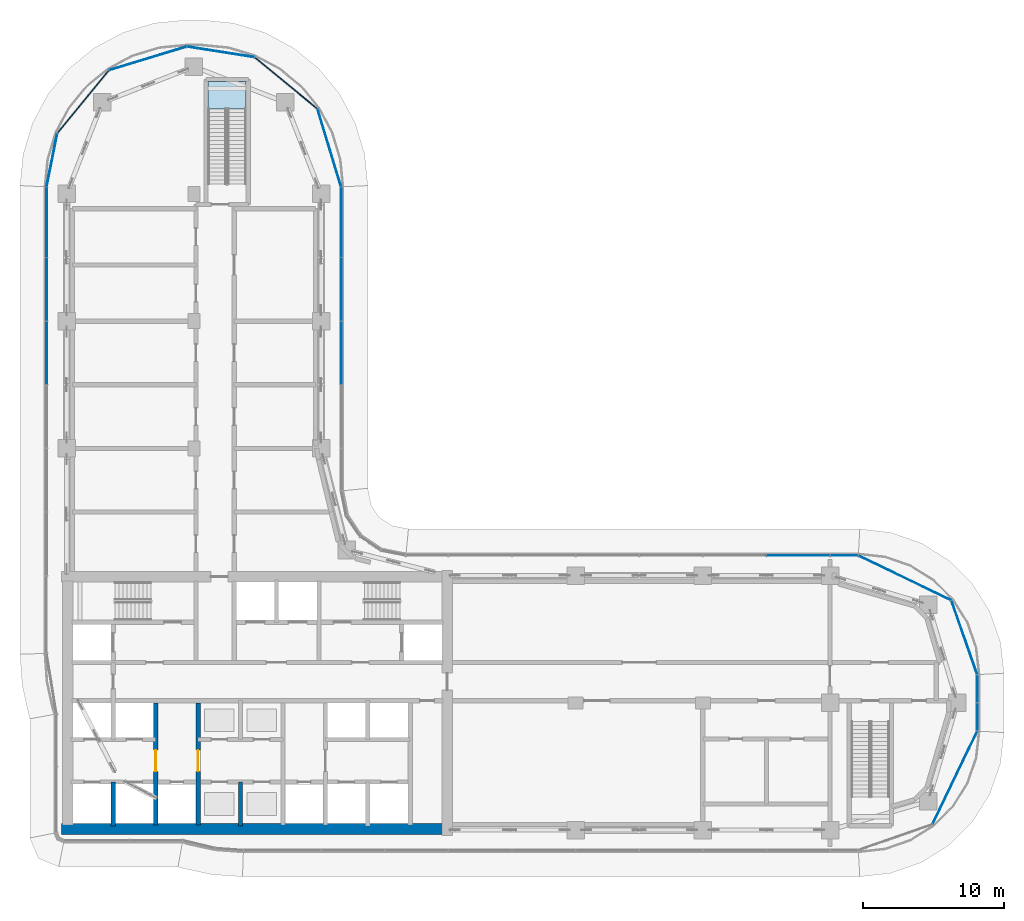
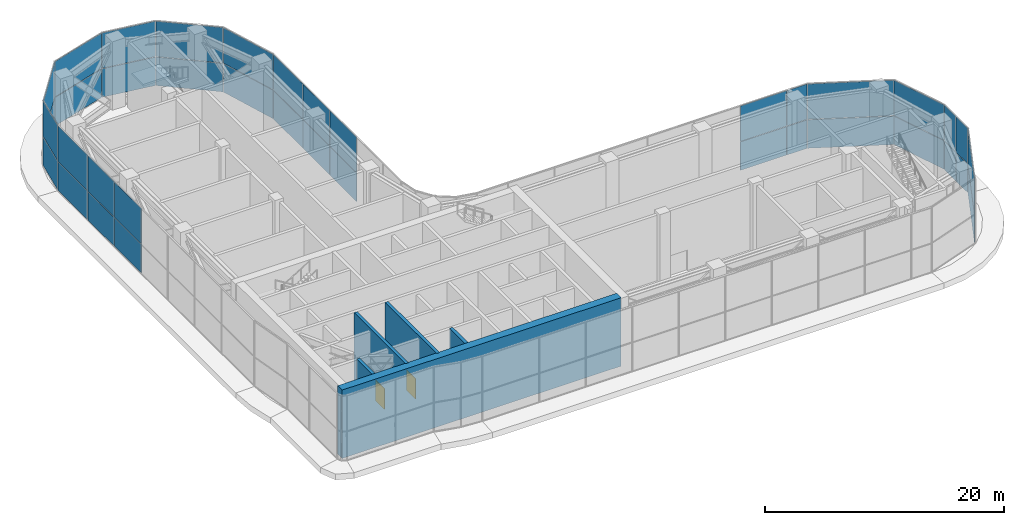
# One storey, part 15 of 35: 38 plates, 5 walls, 2 doors, 1 slab, 2 openings, 8 elements without a shape of their own.
"""IFC4 building model written with IfcOpenShell, lengths in metres."""

from ifc_helpers import new_model, si_unit, direction, frame, frame_2d, origin, origin_2d, place, context, subcontext, project, spatial, polyline, rectangle, outline, extrude, material, layer, layer_set, type_object, element, fill, aggregate, save


model = new_model("IFC4")

# Units and contexts
model_context = context("Model", 3, precision=1e-05, world=origin(), true_north=direction((0.0, 1.0)))
body_context = subcontext(model_context, "Body", "Model", "MODEL_VIEW")
ifc_project = project(units=[si_unit("LENGTHUNIT", "METRE"), si_unit("AREAUNIT", "SQUARE_METRE"), si_unit("VOLUMEUNIT", "CUBIC_METRE"), si_unit("PLANEANGLEUNIT", "RADIAN"), si_unit("MASSUNIT", "GRAM", prefix="KILO")], contexts=[model_context])

# Site, building, storey
site_placement = place(None, origin())
site = spatial("IfcSite", under=ifc_project, at=site_placement, CompositionType="ELEMENT")
building_placement = place(site_placement, origin())
building = spatial("IfcBuilding", under=site, at=building_placement, Name="Ogive Portal Towers", CompositionType="ELEMENT")
storey_placement = place(building_placement, frame((0.0, 0.0, 135.199951171875)))
storey = spatial("IfcBuildingStorey", under=building, at=storey_placement, Name="L33", CompositionType="ELEMENT", Elevation=135.199951171875)

# Curtain wall, plates
ifc_material_1 = material(Name="Glass, clear low-iron insulated glazing", Category="glass")
curtain_wall_type = type_object("IfcCurtainWallType", Name="CW OBSERVATION WALL", PredefinedType="NOTDEFINED", material=ifc_material_1)
curtain_wall_1_placement = place(storey_placement, origin())
curtain_wall_1 = element("IfcCurtainWall", 1, at=curtain_wall_1_placement, inside=storey, type_object=curtain_wall_type, Name="A:L33:f09:cw0", PredefinedType="NOTDEFINED")
ifc_material_2 = material(Name="Aluminium composite spandrel panel, insulated", Category="aluminium")
ifc_layer_1 = layer(ifc_material_2, 0.06005859375)
ifc_layer_set_1 = layer_set([ifc_layer_1], Name="CW PANEL SPANDREL 60")
plate_type = type_object("IfcPlateType", Name="CW PANEL SPANDREL 60", PredefinedType="CURTAIN_PANEL", material=ifc_layer_set_1)
plate_1_placement = place(storey_placement, frame((95.919921875, 29.509033203125, 0.06005859375), z_axis=(0.0, 0.0, 1.0), x_axis=(0.0, 1.0, 0.0)))
plate_1 = element("IfcPlate", 2, at=plate_1_placement, type_object=plate_type, Name="spandrel panel", PredefinedType="CURTAIN_PANEL", context=body_context, shape_type="SweptSolid", body=[
    extrude(rectangle(XDim=1.921630859375, YDim=0.06005859375, at=origin_2d()), origin(), (0.0, 0.0, 1.0), 2.909912109375),
])
plate_2_placement = place(storey_placement, frame((95.919921875, 29.509033203125, 3.02978515625), z_axis=(0.0, 0.0, 1.0), x_axis=(0.0, 1.0, 0.0)))
plate_2 = element("IfcPlate", 3, at=plate_2_placement, type_object=plate_type, Name="spandrel panel", PredefinedType="CURTAIN_PANEL", context=body_context, shape_type="SweptSolid", body=[
    extrude(rectangle(XDim=1.921630859375, YDim=0.06005859375, at=origin_2d()), origin(), (0.0, 0.0, 1.0), 3.610107421875),
])
plate_3_placement = place(storey_placement, frame((95.919921875, 31.4931640625, 0.06005859375), z_axis=(0.0, 0.0, 1.0), x_axis=(0.0, 1.0, 0.0)))
plate_3 = element("IfcPlate", 4, at=plate_3_placement, type_object=plate_type, Name="spandrel panel", PredefinedType="CURTAIN_PANEL", context=body_context, shape_type="SweptSolid", body=[
    extrude(rectangle(XDim=1.926513671875, YDim=0.06005859375, at=origin_2d()), origin(), (0.0, 0.0, 1.0), 2.909912109375),
])
plate_4_placement = place(storey_placement, frame((95.919921875, 31.4931640625, 3.02978515625), z_axis=(0.0, 0.0, 1.0), x_axis=(0.0, 1.0, 0.0)))
plate_4 = element("IfcPlate", 5, at=plate_4_placement, type_object=plate_type, Name="spandrel panel", PredefinedType="CURTAIN_PANEL", context=body_context, shape_type="SweptSolid", body=[
    extrude(rectangle(XDim=1.926513671875, YDim=0.06005859375, at=origin_2d()), origin(), (0.0, 0.0, 1.0), 3.610107421875),
])
aggregate(curtain_wall_1, [plate_1, plate_2, plate_3, plate_4])

curtain_wall_2_placement = place(storey_placement, origin())
curtain_wall_2 = element("IfcCurtainWall", 6, at=curtain_wall_2_placement, inside=storey, type_object=curtain_wall_type, Name="A:L33:f12:cw0", PredefinedType="NOTDEFINED")
plate_5_placement = place(storey_placement, frame((86.490966796875, 40.919921875, 0.06005859375), z_axis=(0.0, 0.0, 1.0), x_axis=(-1.0, 0.0, 0.0)))
plate_5 = element("IfcPlate", 7, at=plate_5_placement, type_object=plate_type, Name="spandrel panel", PredefinedType="CURTAIN_PANEL", context=body_context, shape_type="SweptSolid", body=[
    extrude(rectangle(XDim=1.921630859375, YDim=0.06005859375, at=origin_2d()), origin(), (0.0, 0.0, 1.0), 2.909912109375),
])
plate_6_placement = place(storey_placement, frame((86.490966796875, 40.919921875, 3.02978515625), z_axis=(0.0, 0.0, 1.0), x_axis=(-1.0, 0.0, 0.0)))
plate_6 = element("IfcPlate", 8, at=plate_6_placement, type_object=plate_type, Name="spandrel panel", PredefinedType="CURTAIN_PANEL", context=body_context, shape_type="SweptSolid", body=[
    extrude(rectangle(XDim=1.921630859375, YDim=0.06005859375, at=origin_2d()), origin(), (0.0, 0.0, 1.0), 3.610107421875),
])
plate_7_placement = place(storey_placement, frame((83.25, 40.919921875, 0.06005859375), z_axis=(0.0, 0.0, 1.0), x_axis=(-1.0, 0.0, 0.0)))
plate_7 = element("IfcPlate", 9, at=plate_7_placement, type_object=plate_type, Name="spandrel panel", PredefinedType="CURTAIN_PANEL", context=body_context, shape_type="SweptSolid", body=[
    extrude(rectangle(XDim=4.43994140625, YDim=0.06005859375, at=origin_2d()), origin(), (0.0, 0.0, 1.0), 2.909912109375),
])
plate_8_placement = place(storey_placement, frame((83.25, 40.919921875, 3.02978515625), z_axis=(0.0, 0.0, 1.0), x_axis=(-1.0, 0.0, 0.0)))
plate_8 = element("IfcPlate", 10, at=plate_8_placement, type_object=plate_type, Name="spandrel panel", PredefinedType="CURTAIN_PANEL", context=body_context, shape_type="SweptSolid", body=[
    extrude(rectangle(XDim=4.43994140625, YDim=0.06005859375, at=origin_2d()), origin(), (0.0, 0.0, 1.0), 3.610107421875),
])
aggregate(curtain_wall_2, [plate_5, plate_6, plate_7, plate_8])

curtain_wall_3_placement = place(storey_placement, origin())
curtain_wall_3 = element("IfcCurtainWall", 11, at=curtain_wall_3_placement, inside=storey, type_object=curtain_wall_type, Name="A:L33:f17:cw0", PredefinedType="NOTDEFINED")
plate_9_placement = place(storey_placement, frame((50.919921875, 55.25, 0.06005859375), z_axis=(0.0, 0.0, 1.0), x_axis=(0.0, 1.0, 0.0)))
plate_9 = element("IfcPlate", 12, at=plate_9_placement, type_object=plate_type, Name="spandrel panel", PredefinedType="CURTAIN_PANEL", context=body_context, shape_type="SweptSolid", body=[
    extrude(rectangle(XDim=4.43994140625, YDim=0.06005859375, at=origin_2d()), origin(), (0.0, 0.0, 1.0), 2.909912109375),
])
plate_10_placement = place(storey_placement, frame((50.919921875, 55.25, 3.02978515625), z_axis=(0.0, 0.0, 1.0), x_axis=(0.0, 1.0, 0.0)))
plate_10 = element("IfcPlate", 13, at=plate_10_placement, type_object=plate_type, Name="spandrel panel", PredefinedType="CURTAIN_PANEL", context=body_context, shape_type="SweptSolid", body=[
    extrude(rectangle(XDim=4.43994140625, YDim=0.06005859375, at=origin_2d()), origin(), (0.0, 0.0, 1.0), 3.610107421875),
])
plate_11_placement = place(storey_placement, frame((50.919921875, 59.75, 0.06005859375), z_axis=(0.0, 0.0, 1.0), x_axis=(0.0, 1.0, 0.0)))
plate_11 = element("IfcPlate", 14, at=plate_11_placement, type_object=plate_type, Name="spandrel panel", PredefinedType="CURTAIN_PANEL", context=body_context, shape_type="SweptSolid", body=[
    extrude(rectangle(XDim=4.43994140625, YDim=0.06005859375, at=origin_2d()), origin(), (0.0, 0.0, 1.0), 2.909912109375),
])
plate_12_placement = place(storey_placement, frame((50.919921875, 59.75, 3.02978515625), z_axis=(0.0, 0.0, 1.0), x_axis=(0.0, 1.0, 0.0)))
plate_12 = element("IfcPlate", 15, at=plate_12_placement, type_object=plate_type, Name="spandrel panel", PredefinedType="CURTAIN_PANEL", context=body_context, shape_type="SweptSolid", body=[
    extrude(rectangle(XDim=4.43994140625, YDim=0.06005859375, at=origin_2d()), origin(), (0.0, 0.0, 1.0), 3.610107421875),
])
plate_13_placement = place(storey_placement, frame((50.919921875, 64.494140625, 0.06005859375), z_axis=(0.0, 0.0, 1.0), x_axis=(0.0, 1.0, 0.0)))
plate_13 = element("IfcPlate", 16, at=plate_13_placement, type_object=plate_type, Name="spandrel panel", PredefinedType="CURTAIN_PANEL", context=body_context, shape_type="SweptSolid", body=[
    extrude(rectangle(XDim=4.92822265625, YDim=0.06005859375, at=origin_2d()), origin(), (0.0, 0.0, 1.0), 2.909912109375),
])
plate_14_placement = place(storey_placement, frame((50.919921875, 64.494140625, 3.02978515625), z_axis=(0.0, 0.0, 1.0), x_axis=(0.0, 1.0, 0.0)))
plate_14 = element("IfcPlate", 17, at=plate_14_placement, type_object=plate_type, Name="spandrel panel", PredefinedType="CURTAIN_PANEL", context=body_context, shape_type="SweptSolid", body=[
    extrude(rectangle(XDim=4.92822265625, YDim=0.06005859375, at=origin_2d()), origin(), (0.0, 0.0, 1.0), 3.610107421875),
])
aggregate(curtain_wall_3, [plate_9, plate_10, plate_11, plate_12, plate_13, plate_14])

curtain_wall_4_placement = place(storey_placement, origin())
curtain_wall_4 = element("IfcCurtainWall", 18, at=curtain_wall_4_placement, inside=storey, type_object=curtain_wall_type, Name="A:L33:f24:cw0", PredefinedType="NOTDEFINED")
plate_15_placement = place(storey_placement, frame((30.080078125, 64.49609375, 0.06005859375), z_axis=(0.0, 0.0, 1.0), x_axis=(0.0, -1.0, 0.0)))
plate_15 = element("IfcPlate", 19, at=plate_15_placement, type_object=plate_type, Name="spandrel panel", PredefinedType="CURTAIN_PANEL", context=body_context, shape_type="SweptSolid", body=[
    extrude(rectangle(XDim=4.93212890625, YDim=0.06005859375, at=origin_2d()), origin(), (0.0, 0.0, 1.0), 2.909912109375),
])
plate_16_placement = place(storey_placement, frame((30.080078125, 64.49609375, 3.02978515625), z_axis=(0.0, 0.0, 1.0), x_axis=(0.0, -1.0, 0.0)))
plate_16 = element("IfcPlate", 20, at=plate_16_placement, type_object=plate_type, Name="spandrel panel", PredefinedType="CURTAIN_PANEL", context=body_context, shape_type="SweptSolid", body=[
    extrude(rectangle(XDim=4.93212890625, YDim=0.06005859375, at=origin_2d()), origin(), (0.0, 0.0, 1.0), 3.610107421875),
])
plate_17_placement = place(storey_placement, frame((30.080078125, 59.75, 0.06005859375), z_axis=(0.0, 0.0, 1.0), x_axis=(0.0, -1.0, 0.0)))
plate_17 = element("IfcPlate", 21, at=plate_17_placement, type_object=plate_type, Name="spandrel panel", PredefinedType="CURTAIN_PANEL", context=body_context, shape_type="SweptSolid", body=[
    extrude(rectangle(XDim=4.43994140625, YDim=0.06005859375, at=origin_2d()), origin(), (0.0, 0.0, 1.0), 2.909912109375),
])
plate_18_placement = place(storey_placement, frame((30.080078125, 59.75, 3.02978515625), z_axis=(0.0, 0.0, 1.0), x_axis=(0.0, -1.0, 0.0)))
plate_18 = element("IfcPlate", 22, at=plate_18_placement, type_object=plate_type, Name="spandrel panel", PredefinedType="CURTAIN_PANEL", context=body_context, shape_type="SweptSolid", body=[
    extrude(rectangle(XDim=4.43994140625, YDim=0.06005859375, at=origin_2d()), origin(), (0.0, 0.0, 1.0), 3.610107421875),
])
plate_19_placement = place(storey_placement, frame((30.080078125, 55.25, 0.06005859375), z_axis=(0.0, 0.0, 1.0), x_axis=(0.0, -1.0, 0.0)))
plate_19 = element("IfcPlate", 23, at=plate_19_placement, type_object=plate_type, Name="spandrel panel", PredefinedType="CURTAIN_PANEL", context=body_context, shape_type="SweptSolid", body=[
    extrude(rectangle(XDim=4.43994140625, YDim=0.06005859375, at=origin_2d()), origin(), (0.0, 0.0, 1.0), 2.909912109375),
])
plate_20_placement = place(storey_placement, frame((30.080078125, 55.25, 3.02978515625), z_axis=(0.0, 0.0, 1.0), x_axis=(0.0, -1.0, 0.0)))
plate_20 = element("IfcPlate", 24, at=plate_20_placement, type_object=plate_type, Name="spandrel panel", PredefinedType="CURTAIN_PANEL", context=body_context, shape_type="SweptSolid", body=[
    extrude(rectangle(XDim=4.43994140625, YDim=0.06005859375, at=origin_2d()), origin(), (0.0, 0.0, 1.0), 3.610107421875),
])
aggregate(curtain_wall_4, [plate_15, plate_16, plate_17, plate_18, plate_19, plate_20])

curtain_wall_5_placement = place(storey_placement, origin())
curtain_wall_5 = element("IfcCurtainWall", 25, at=curtain_wall_5_placement, inside=storey, type_object=curtain_wall_type, Name="A:L33:f07:cwa", PredefinedType="NOTDEFINED")
plate_21_placement = place(storey_placement, frame((94.3310546875, 25.21875, 0.06005859375), z_axis=(0.0, 0.0, 1.0), x_axis=(0.433883739113, 0.900968867905, 0.0)))
plate_21 = element("IfcPlate", 26, at=plate_21_placement, type_object=plate_type, Name="spandrel panel", PredefinedType="CURTAIN_PANEL", context=body_context, shape_type="SweptSolid", body=[
    extrude(rectangle(XDim=7.2646484375, YDim=0.06005859375, at=origin_2d()), origin(), (0.0, 0.0, 1.0), 2.909912109375),
])
plate_22_placement = place(storey_placement, frame((94.3310546875, 25.21875, 3.02978515625), z_axis=(0.0, 0.0, 1.0), x_axis=(0.433883739113, 0.900968867905, 0.0)))
plate_22 = element("IfcPlate", 27, at=plate_22_placement, type_object=plate_type, Name="spandrel panel", PredefinedType="CURTAIN_PANEL", context=body_context, shape_type="SweptSolid", body=[
    extrude(rectangle(XDim=7.2646484375, YDim=0.06005859375, at=origin_2d()), origin(), (0.0, 0.0, 1.0), 3.610107421875),
])
aggregate(curtain_wall_5, [plate_21, plate_22])

curtain_wall_6_placement = place(storey_placement, origin())
curtain_wall_6 = element("IfcCurtainWall", 28, at=curtain_wall_6_placement, inside=storey, type_object=curtain_wall_type, Name="A:L33:f10:cwa", PredefinedType="NOTDEFINED")
plate_23_placement = place(storey_placement, frame((95.00048828125, 35.1142578125, 0.06005859375), z_axis=(0.0, 0.0, 1.0), x_axis=(-0.33027906196, 0.943883330307, 0.0)))
plate_23 = element("IfcPlate", 29, at=plate_23_placement, type_object=plate_type, Name="spandrel panel", PredefinedType="CURTAIN_PANEL", context=body_context, shape_type="SweptSolid", body=[
    extrude(rectangle(XDim=5.508056640625, YDim=0.06005859375, at=origin_2d()), origin(), (0.0, 0.0, 1.0), 2.909912109375),
])
plate_24_placement = place(storey_placement, frame((95.00048828125, 35.1142578125, 3.02978515625), z_axis=(0.0, 0.0, 1.0), x_axis=(-0.33027906196, 0.943883330307, 0.0)))
plate_24 = element("IfcPlate", 30, at=plate_24_placement, type_object=plate_type, Name="spandrel panel", PredefinedType="CURTAIN_PANEL", context=body_context, shape_type="SweptSolid", body=[
    extrude(rectangle(XDim=5.508056640625, YDim=0.06005859375, at=origin_2d()), origin(), (0.0, 0.0, 1.0), 3.610107421875),
])
plate_25_placement = place(storey_placement, frame((90.78125, 39.3310546875, 0.06005859375), z_axis=(0.0, 0.0, 1.0), x_axis=(-0.900968867905, 0.433883739113, 0.0)))
plate_25 = element("IfcPlate", 31, at=plate_25_placement, type_object=plate_type, Name="spandrel panel", PredefinedType="CURTAIN_PANEL", context=body_context, shape_type="SweptSolid", body=[
    extrude(rectangle(XDim=7.2646484375, YDim=0.06005859375, at=origin_2d()), origin(), (0.0, 0.0, 1.0), 2.909912109375),
])
plate_26_placement = place(storey_placement, frame((90.78125, 39.3310546875, 3.02978515625), z_axis=(0.0, 0.0, 1.0), x_axis=(-0.900968867905, 0.433883739113, 0.0)))
plate_26 = element("IfcPlate", 32, at=plate_26_placement, type_object=plate_type, Name="spandrel panel", PredefinedType="CURTAIN_PANEL", context=body_context, shape_type="SweptSolid", body=[
    extrude(rectangle(XDim=7.2646484375, YDim=0.06005859375, at=origin_2d()), origin(), (0.0, 0.0, 1.0), 3.610107421875),
])
aggregate(curtain_wall_6, [plate_23, plate_24, plate_25, plate_26])

curtain_wall_7_placement = place(storey_placement, origin())
curtain_wall_7 = element("IfcCurtainWall", 33, at=curtain_wall_7_placement, inside=storey, type_object=curtain_wall_type, Name="A:L33:f18:cwa", PredefinedType="NOTDEFINED")
plate_27_placement = place(storey_placement, frame((50.08251953125, 69.748779296875, 0.06005859375), z_axis=(0.0, 0.0, 1.0), x_axis=(-0.290284677254, 0.956940335732, 0.0)))
plate_27 = element("IfcPlate", 34, at=plate_27_placement, type_object=plate_type, Name="spandrel panel", PredefinedType="CURTAIN_PANEL", context=body_context, shape_type="SweptSolid", body=[
    extrude(rectangle(XDim=5.70947265625, YDim=0.06005859375, at=origin_2d()), origin(), (0.0, 0.0, 1.0), 2.909912109375),
])
plate_28_placement = place(storey_placement, frame((50.08251953125, 69.748779296875, 3.02978515625), z_axis=(0.0, 0.0, 1.0), x_axis=(-0.290284677254, 0.956940335732, 0.0)))
plate_28 = element("IfcPlate", 35, at=plate_28_placement, type_object=plate_type, Name="spandrel panel", PredefinedType="CURTAIN_PANEL", context=body_context, shape_type="SweptSolid", body=[
    extrude(rectangle(XDim=5.70947265625, YDim=0.06005859375, at=origin_2d()), origin(), (0.0, 0.0, 1.0), 3.610107421875),
])
plate_29_placement = place(storey_placement, frame((47.01904296875, 74.336181640625, 0.06005859375), z_axis=(0.0, 0.0, 1.0), x_axis=(-0.773010453363, 0.634393284164, 0.0)))
plate_29 = element("IfcPlate", 36, at=plate_29_placement, type_object=plate_type, Name="spandrel panel", PredefinedType="CURTAIN_PANEL", context=body_context, shape_type="SweptSolid", body=[
    extrude(rectangle(XDim=5.69970703125, YDim=0.06005859375, at=origin_2d()), origin(), (0.0, 0.0, 1.0), 2.909912109375),
])
plate_30_placement = place(storey_placement, frame((47.01904296875, 74.336181640625, 3.02978515625), z_axis=(0.0, 0.0, 1.0), x_axis=(-0.773010453363, 0.634393284164, 0.0)))
plate_30 = element("IfcPlate", 37, at=plate_30_placement, type_object=plate_type, Name="spandrel panel", PredefinedType="CURTAIN_PANEL", context=body_context, shape_type="SweptSolid", body=[
    extrude(rectangle(XDim=5.69970703125, YDim=0.06005859375, at=origin_2d()), origin(), (0.0, 0.0, 1.0), 3.610107421875),
])
plate_31_placement = place(storey_placement, frame((42.399169921875, 76.54052734375, 0.06005859375), z_axis=(0.0, 0.0, 1.0), x_axis=(-0.987792174992, 0.155777466355, 0.0)))
plate_31 = element("IfcPlate", 38, at=plate_31_placement, type_object=plate_type, Name="spandrel panel", PredefinedType="CURTAIN_PANEL", context=body_context, shape_type="SweptSolid", body=[
    extrude(rectangle(XDim=4.786376953125, YDim=0.06005859375, at=origin_2d()), origin(), (0.0, 0.0, 1.0), 2.909912109375),
])
plate_32_placement = place(storey_placement, frame((42.399169921875, 76.54052734375, 3.02978515625), z_axis=(0.0, 0.0, 1.0), x_axis=(-0.987792174992, 0.155777466355, 0.0)))
plate_32 = element("IfcPlate", 39, at=plate_32_placement, type_object=plate_type, Name="spandrel panel", PredefinedType="CURTAIN_PANEL", context=body_context, shape_type="SweptSolid", body=[
    extrude(rectangle(XDim=4.786376953125, YDim=0.06005859375, at=origin_2d()), origin(), (0.0, 0.0, 1.0), 3.610107421875),
])
plate_33_placement = place(storey_placement, frame((37.248291015625, 76.08154296875, 0.06005859375), z_axis=(0.0, 0.0, 1.0), x_axis=(-0.956940335732, -0.290284677254, 0.0)))
plate_33 = element("IfcPlate", 40, at=plate_33_placement, type_object=plate_type, Name="spandrel panel", PredefinedType="CURTAIN_PANEL", context=body_context, shape_type="SweptSolid", body=[
    extrude(rectangle(XDim=5.703125, YDim=0.06005859375, at=origin_2d()), origin(), (0.0, 0.0, 1.0), 2.909912109375),
])
plate_34_placement = place(storey_placement, frame((37.248291015625, 76.08154296875, 3.02978515625), z_axis=(0.0, 0.0, 1.0), x_axis=(-0.956940335732, -0.290284677254, 0.0)))
plate_34 = element("IfcPlate", 41, at=plate_34_placement, type_object=plate_type, Name="spandrel panel", PredefinedType="CURTAIN_PANEL", context=body_context, shape_type="SweptSolid", body=[
    extrude(rectangle(XDim=5.703125, YDim=0.06005859375, at=origin_2d()), origin(), (0.0, 0.0, 1.0), 3.610107421875),
])
plate_35_placement = place(storey_placement, frame((32.663330078125, 73.018310546875, 0.06005859375), z_axis=(0.0, 0.0, 1.0), x_axis=(-0.634393284164, -0.773010453363, 0.0)))
plate_35 = element("IfcPlate", 42, at=plate_35_placement, type_object=plate_type, Name="spandrel panel", PredefinedType="CURTAIN_PANEL", context=body_context, shape_type="SweptSolid", body=[
    extrude(rectangle(XDim=5.701416015625, YDim=0.06005859375, at=origin_2d()), origin(), (0.0, 0.0, 1.0), 2.909912109375),
])
plate_36_placement = place(storey_placement, frame((32.663330078125, 73.018310546875, 3.02978515625), z_axis=(0.0, 0.0, 1.0), x_axis=(-0.634393284164, -0.773010453363, 0.0)))
plate_36 = element("IfcPlate", 43, at=plate_36_placement, type_object=plate_type, Name="spandrel panel", PredefinedType="CURTAIN_PANEL", context=body_context, shape_type="SweptSolid", body=[
    extrude(rectangle(XDim=5.701416015625, YDim=0.06005859375, at=origin_2d()), origin(), (0.0, 0.0, 1.0), 3.610107421875),
])
plate_37_placement = place(storey_placement, frame((30.457763671875, 68.891845703125, 0.06005859375), z_axis=(0.0, 0.0, 1.0), x_axis=(-0.195090322016, -0.980785280403, 0.0)))
plate_37 = element("IfcPlate", 44, at=plate_37_placement, type_object=plate_type, Name="spandrel panel", PredefinedType="CURTAIN_PANEL", context=body_context, shape_type="SweptSolid", body=[
    extrude(rectangle(XDim=3.81396484375, YDim=0.06005859375, at=origin_2d()), origin(), (0.0, 0.0, 1.0), 2.909912109375),
])
plate_38_placement = place(storey_placement, frame((30.457763671875, 68.891845703125, 3.02978515625), z_axis=(0.0, 0.0, 1.0), x_axis=(-0.195090322016, -0.980785280403, 0.0)))
plate_38 = element("IfcPlate", 45, at=plate_38_placement, type_object=plate_type, Name="spandrel panel", PredefinedType="CURTAIN_PANEL", context=body_context, shape_type="SweptSolid", body=[
    extrude(rectangle(XDim=3.81396484375, YDim=0.06005859375, at=origin_2d()), origin(), (0.0, 0.0, 1.0), 3.610107421875),
])
aggregate(curtain_wall_7, [plate_27, plate_28, plate_29, plate_30, plate_31, plate_32, plate_33, plate_34, plate_35, plate_36, plate_37, plate_38])

# Stair, slab
ifc_material_3 = material(Name="Concrete C40/50", Category="concrete")
stair_type = type_object("IfcStairType", Name="INT-STAIR", PredefinedType="HALF_TURN_STAIR", material=ifc_material_3)
stair_placement = place(storey_placement, origin())
stair = element("IfcStair", 46, at=stair_placement, inside=storey, type_object=stair_type, Name="L33 Exit Stair ST-A3", PredefinedType="HALF_TURN_STAIR")
ifc_layer_2 = layer(ifc_material_3, 0.199951171875)
ifc_layer_set_2 = layer_set([ifc_layer_2], Name="INT-LANDING")
slab_type = type_object("IfcSlabType", Name="INT-LANDING", PredefinedType="LANDING", material=ifc_layer_set_2)
slab_placement = place(storey_placement, frame((0.0, 0.0, 3.300048828125)))
slab = element("IfcSlab", 47, at=slab_placement, type_object=slab_type, Name="ST-A3 landing 1", PredefinedType="LANDING", context=body_context, shape_type="SweptSolid", body=[
    extrude(outline(polyline([(44.199951171875, 72.52001953125), (44.199951171875, 74.449951171875), (41.5, 74.449951171875), (41.5, 72.52001953125), (44.199951171875, 72.52001953125)])), origin(), (0.0, 0.0, 1.0), 0.199951171875),
])
aggregate(stair, [slab])

# Wall, opening, door
ifc_material_4 = material(Name="Concrete C60/75", Category="concrete")
ifc_layer_3 = layer(ifc_material_4, 0.300048828125)
ifc_layer_set_3 = layer_set([ifc_layer_3], Name="CORE WALL 300 C60")
wall_type_1 = type_object("IfcWallType", Name="CORE WALL 300 C60", PredefinedType="SHEAR", material=ifc_layer_set_3)
wall_1_placement = place(storey_placement, frame((37.800048828125, 21.875, 0.0), z_axis=(0.0, 0.0, 1.0), x_axis=(0.0, 1.0, 0.0)))
wall_1 = element("IfcWall", 48, at=wall_1_placement, inside=storey, type_object=wall_type_1, Name="Core wall X1 L33", PredefinedType="SHEAR", context=body_context, shape_type="SweptSolid", body=[
    extrude(rectangle(XDim=8.625, YDim=0.300048828125, at=frame_2d((4.3125, 0.0))), origin(), (0.0, 0.0, 1.0), 7.0),
])
opening_1_placement = place(wall_1_placement, frame((3.77490234375, 0.0, 0.0)))
opening_1 = element("IfcOpeningElement", 49, at=opening_1_placement, cuts=wall_1, Name="Opening D12-001", PredefinedType="OPENING", context=body_context, shape_type="SweptSolid", body=[
    extrude(rectangle(XDim=1.5, YDim=2.10009765625, at=frame_2d((0.75, 1.050048828125))), frame((0.0, 0.16015625, 0.0), z_axis=(0.0, -1.0, 0.0), x_axis=(1.0, 0.0, 0.0)), (0.0, 0.0, 1.0), 0.320068359375),
])
ifc_material_5 = material(Name="Steel fire door", Category="steel")
door_type = type_object("IfcDoorType", Name="DT-SWING-1500x2100-FD90S", OperationType="SINGLE_SWING_LEFT", PredefinedType="DOOR", material=ifc_material_5)
door_1_placement = place(opening_1_placement, origin())
door_1 = element("IfcDoor", 50, at=door_1_placement, inside=storey, type_object=door_type, Name="Door D12-001", OperationType="SINGLE_SWING_LEFT", OverallHeight=2.10009765625, OverallWidth=1.5, PredefinedType="DOOR", context=body_context, shape_type="SweptSolid", body=[
    extrude(rectangle(XDim=1.5, YDim=2.10009765625, at=frame_2d((0.75, 1.050048828125))), frame((0.0, 0.02490234375, 0.0), z_axis=(0.0, -1.0, 0.0), x_axis=(1.0, 0.0, 0.0)), (0.0, 0.0, 1.0), 0.050048828125),
])
fill(opening_1, door_1)

wall_2_placement = place(storey_placement, frame((40.800048828125, 21.875, 0.0), z_axis=(0.0, 0.0, 1.0), x_axis=(0.0, 1.0, 0.0)))
wall_2 = element("IfcWall", 51, at=wall_2_placement, inside=storey, type_object=wall_type_1, Name="Core wall X2 L33", PredefinedType="SHEAR", context=body_context, shape_type="SweptSolid", body=[
    extrude(rectangle(XDim=8.625, YDim=0.300048828125, at=frame_2d((4.3125, 0.0))), origin(), (0.0, 0.0, 1.0), 7.0),
])
opening_2_placement = place(wall_2_placement, frame((3.77490234375, 0.0, 0.0)))
opening_2 = element("IfcOpeningElement", 52, at=opening_2_placement, cuts=wall_2, Name="Opening D12-002", PredefinedType="OPENING", context=body_context, shape_type="SweptSolid", body=[
    extrude(rectangle(XDim=1.5, YDim=2.10009765625, at=frame_2d((0.75, 1.050048828125))), frame((0.0, 0.16015625, 0.0), z_axis=(0.0, -1.0, 0.0), x_axis=(1.0, 0.0, 0.0)), (0.0, 0.0, 1.0), 0.320068359375),
])
door_2_placement = place(opening_2_placement, origin())
door_2 = element("IfcDoor", 53, at=door_2_placement, inside=storey, type_object=door_type, Name="Door D12-002", OperationType="SINGLE_SWING_RIGHT", OverallHeight=2.10009765625, OverallWidth=1.5, PredefinedType="DOOR", context=body_context, shape_type="SweptSolid", body=[
    extrude(rectangle(XDim=1.5, YDim=2.10009765625, at=frame_2d((0.75, 1.050048828125))), frame((0.0, 0.02490234375, 0.0), z_axis=(0.0, -1.0, 0.0), x_axis=(1.0, 0.0, 0.0)), (0.0, 0.0, 1.0), 0.050048828125),
])
fill(opening_2, door_2)

# Walls
ifc_layer_4 = layer(ifc_material_4, 0.75)
ifc_layer_set_4 = layer_set([ifc_layer_4], Name="CORE WALL 750 C60")
wall_type_2 = type_object("IfcWallType", Name="CORE WALL 750 C60", PredefinedType="SHEAR", material=ifc_layer_set_4)
wall_3_placement = place(storey_placement, frame((31.125, 21.574951171875, 0.0), z_axis=(0.0, 0.0, 1.0), x_axis=(1.0, 0.0, 0.0)))
element("IfcWall", 54, at=wall_3_placement, inside=storey, type_object=wall_type_2, Name="Core wall S L33", PredefinedType="SHEAR", context=body_context, shape_type="SweptSolid", body=[
    extrude(rectangle(XDim=27.0, YDim=0.75, at=frame_2d((13.5, 0.0))), origin(), (0.0, 0.0, 1.0), 7.0),
])
ifc_layer_5 = layer(ifc_material_3, 0.300048828125)
ifc_layer_set_5 = layer_set([ifc_layer_5], Name="WT-SHAFT-300")
wall_type_3 = type_object("IfcWallType", Name="WT-SHAFT-300", PredefinedType="SOLIDWALL", material=ifc_layer_set_5)
for number, where, z_axis, x_axis, name in (
    (55, (34.800048828125, 21.800048828125, 0.0), (0.0, 0.0, 1.0), (0.0, 1.0, 0.0), "Wall pw:005:L33"),
    (56, (43.800048828125, 21.800048828125, 0.0), (0.0, 0.0, 1.0), (0.0, 1.0, 0.0), "Wall pw:007:L33"),
):
    element("IfcWall", number, at=place(storey_placement, frame(where, z_axis=z_axis, x_axis=x_axis)), inside=storey, type_object=wall_type_3, Name=name, PredefinedType="SOLIDWALL", context=body_context, shape_type="SweptSolid", body=[
        extrude(rectangle(XDim=3.099853515625, YDim=0.300048828125, at=frame_2d((1.5498046875, 0.0))), origin(), (0.0, 0.0, 1.0), 6.699951171875),
    ])

save(model, "model.ifc")
